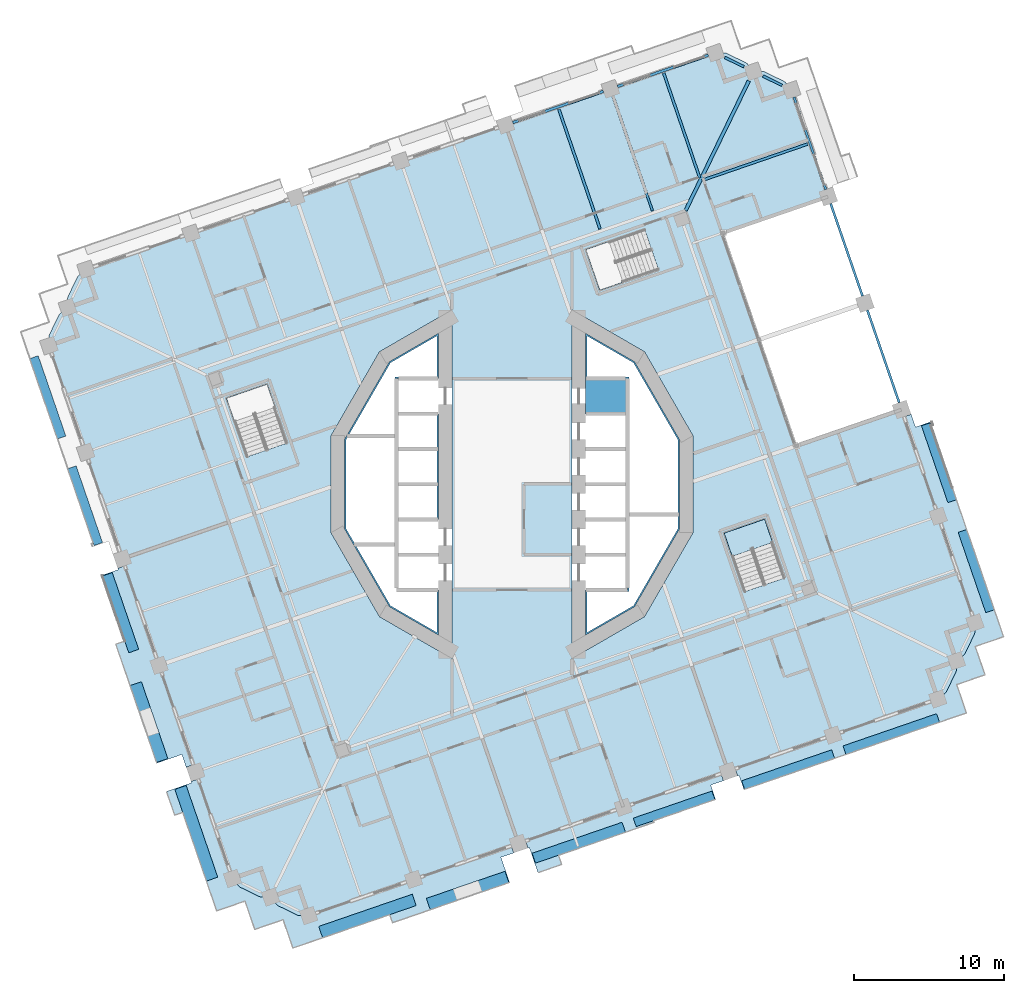
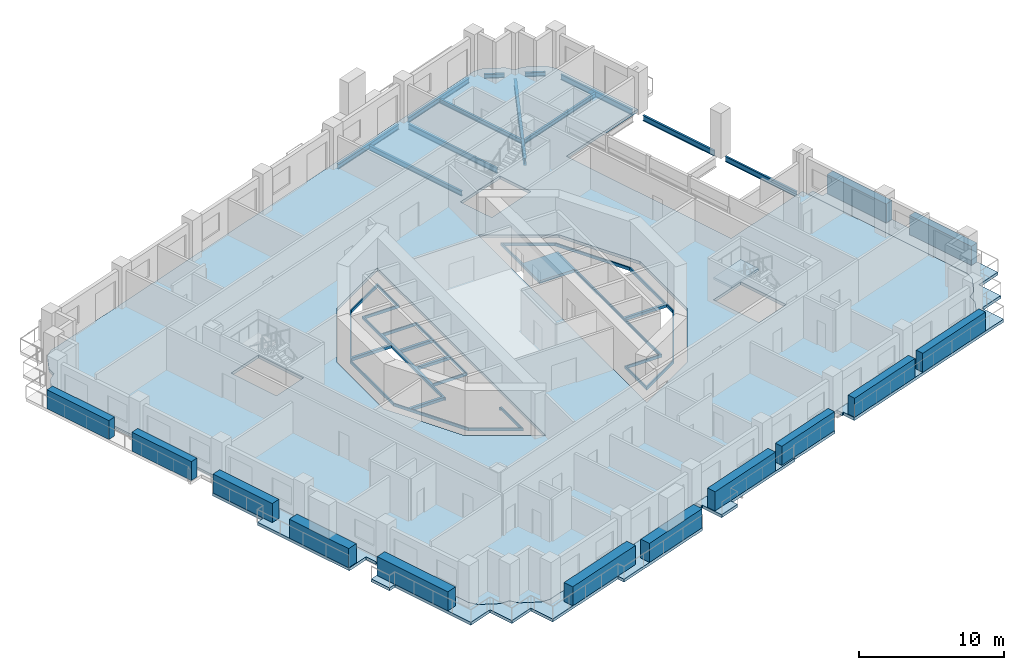
# One storey, part 5 of 19: 13 plates, 12 beams, 8 slabs, 1 element without a shape of its own.
"""IFC4 building model written with IfcOpenShell, lengths in metres."""

from ifc_helpers import new_model, si_unit, direction, frame, origin, origin_2d, place, context, subcontext, project, spatial, polyline, rectangle, i_section, outline, extrude, material, layer, layer_set, material_profile, profile_set, type_object, element, aggregate, save


model = new_model("IFC4")

# Units and contexts
model_context = context("Model", 3, precision=1e-05, world=origin(), true_north=direction((0.0, 1.0)))
body_context = subcontext(model_context, "Body", "Model", "MODEL_VIEW")
ifc_project = project(units=[si_unit("LENGTHUNIT", "METRE"), si_unit("AREAUNIT", "SQUARE_METRE"), si_unit("VOLUMEUNIT", "CUBIC_METRE"), si_unit("PLANEANGLEUNIT", "RADIAN"), si_unit("MASSUNIT", "GRAM", prefix="KILO")], contexts=[model_context])

# Site, building, storey
site_placement = place(None, origin())
site = spatial("IfcSite", under=ifc_project, at=site_placement, CompositionType="ELEMENT")
building_placement = place(site_placement, origin())
building = spatial("IfcBuilding", under=site, at=building_placement, Name="Cantera Rosa Tower", CompositionType="ELEMENT")
storey_placement = place(building_placement, frame((0.0, 0.0, 130.699951171875)))
storey = spatial("IfcBuildingStorey", under=building, at=storey_placement, Name="L27", CompositionType="ELEMENT", Elevation=130.699951171875)

# Beams
ifc_material_1 = material(Name="Steel ASTM A992 (Fy 345 MPa)", Category="steel")
ifc_material_profile_1 = material_profile(ifc_material_1, i_section(OverallWidth=0.154052734375, OverallDepth=0.4599609375, WebThickness=0.009033203125, FlangeThickness=0.015380859375, FilletRadius=0.01025390625, at=origin_2d()), Name="W460X68")
ifc_profile_set_1 = profile_set([ifc_material_profile_1], Name="Steel ASTM A992 (Fy 345 MPa)")
beam_type_1 = type_object("IfcBeamType", Name="STEEL BEAM W460X68", PredefinedType="BEAM", material=ifc_profile_set_1)
beam_1_placement = place(storey_placement, frame((6.7333984375, 25.903564453125, -0.47998046875), z_axis=(0.325580085327, -0.945514467387, 0.0), x_axis=(0.945514467387, 0.325580085327, 0.0)))
element("IfcBeam", 1, at=beam_1_placement, inside=storey, type_object=beam_type_1, Name="G-Z2-05 L27", PredefinedType="BEAM", context=body_context, shape_type="SweptSolid", body=[
    extrude(i_section(OverallWidth=0.154052734375, OverallDepth=0.4599609375, WebThickness=0.009033203125, FlangeThickness=0.015380859375, FilletRadius=0.01025390625, at=origin_2d()), origin(), (0.0, 0.0, 1.0), 8.10009765625),
])
ifc_material_2 = material(Name="Steel ASTM A992 (Fy 345 MPa)", Category="steel")
ifc_material_profile_2 = material_profile(ifc_material_2, i_section(OverallWidth=0.22802734375, OverallDepth=0.60205078125, WebThickness=0.010498046875, FlangeThickness=0.014892578125, FilletRadius=0.0126953125, at=origin_2d()), Name="W610X101")
ifc_profile_set_2 = profile_set([ifc_material_profile_2], Name="Steel ASTM A992 (Fy 345 MPa)")
beam_type_2 = type_object("IfcBeamType", Name="STEEL BEAM W610X101", PredefinedType="BEAM", material=ifc_profile_set_2)
beam_2_placement = place(storey_placement, frame((15.7998046875, 26.909912109375, -0.551025390625), z_axis=(-0.438387618569, -0.898786012288, 0.0), x_axis=(0.898786012288, -0.438387618569, 0.0)))
element("IfcBeam", 2, at=beam_2_placement, inside=storey, type_object=beam_type_2, Name="CB-Z2-01 L27", PredefinedType="BEAM", context=body_context, shape_type="SweptSolid", body=[
    extrude(i_section(OverallWidth=0.22802734375, OverallDepth=0.60205078125, WebThickness=0.010498046875, FlangeThickness=0.014892578125, FilletRadius=0.0126953125, at=origin_2d()), origin(), (0.0, 0.0, 1.0), 9.61669921875),
])
ifc_material_3 = material(Name="Steel ASTM A992 (Fy 345 MPa)", Category="steel")
ifc_material_profile_3 = material_profile(ifc_material_3, i_section(OverallWidth=0.1708984375, OverallDepth=0.35595703125, WebThickness=0.00732421875, FlangeThickness=0.01171875, FilletRadius=0.010009765625, at=origin_2d()), Name="W360X51")
ifc_profile_set_3 = profile_set([ifc_material_profile_3], Name="Steel ASTM A992 (Fy 345 MPa)")
beam_type_3 = type_object("IfcBeamType", Name="STEEL JOIST W360X51", PredefinedType="JOIST", material=ifc_profile_set_3)
beam_3_placement = place(storey_placement, frame((19.734130859375, 22.70166015625, -0.427978515625), z_axis=(-0.945518264054, -0.32556905925, 0.0), x_axis=(0.32556905925, -0.945518264054, 0.0)))
element("IfcBeam", 3, at=beam_3_placement, inside=storey, type_object=beam_type_3, Name="B-Z2-05 L27", PredefinedType="JOIST", context=body_context, shape_type="SweptSolid", body=[
    extrude(i_section(OverallWidth=0.1708984375, OverallDepth=0.35595703125, WebThickness=0.00732421875, FlangeThickness=0.01171875, FilletRadius=0.010009765625, at=origin_2d()), origin(), (0.0, 0.0, 1.0), 7.4599609375),
])
beam_4_placement = place(storey_placement, frame((10.117919921875, 27.43896484375, -0.427978515625), z_axis=(0.325565645331, -0.945519439557, 0.0), x_axis=(0.945519439557, 0.325565645331, 0.0)))
element("IfcBeam", 4, at=beam_4_placement, inside=storey, type_object=beam_type_3, Name="B-Z2-06 L27", PredefinedType="JOIST", context=body_context, shape_type="SweptSolid", body=[
    extrude(i_section(OverallWidth=0.1708984375, OverallDepth=0.35595703125, WebThickness=0.00732421875, FlangeThickness=0.01171875, FilletRadius=0.010009765625, at=origin_2d()), origin(), (0.0, 0.0, 1.0), 7.39990234375),
])
ifc_material_4 = material(Name="Steel ASTM A992 (Fy 345 MPa)", Category="steel")
ifc_material_profile_4 = material_profile(ifc_material_4, i_section(OverallWidth=0.177978515625, OverallDepth=0.406005859375, WebThickness=0.0078125, FlangeThickness=0.0126953125, FilletRadius=0.01025390625, at=origin_2d()), Name="W410X60")
ifc_profile_set_4 = profile_set([ifc_material_profile_4], Name="Steel ASTM A992 (Fy 345 MPa)")
beam_type_4 = type_object("IfcBeamType", Name="STEEL JOIST W410X60", PredefinedType="JOIST", material=ifc_profile_set_4)
beam_5_placement = place(storey_placement, frame((3.12109375, 25.02978515625, -0.452880859375), z_axis=(0.325565025235, -0.945519653071, 0.0), x_axis=(0.945519653071, 0.325565025235, 0.0)))
element("IfcBeam", 5, at=beam_5_placement, inside=storey, type_object=beam_type_4, Name="B-Z2-07 L27", PredefinedType="JOIST", context=body_context, shape_type="SweptSolid", body=[
    extrude(i_section(OverallWidth=0.177978515625, OverallDepth=0.406005859375, WebThickness=0.0078125, FlangeThickness=0.0126953125, FilletRadius=0.01025390625, at=origin_2d()), origin(), (0.0, 0.0, 1.0), 8.449951171875),
])
ifc_material_5 = material(Name="Steel ASTM A992 (Fy 345 MPa)", Category="steel")
ifc_material_profile_5 = material_profile(ifc_material_5, i_section(OverallWidth=0.1708984375, OverallDepth=0.35595703125, WebThickness=0.00732421875, FlangeThickness=0.01171875, FilletRadius=0.010009765625, at=origin_2d()), Name="W360X51")
ifc_profile_set_5 = profile_set([ifc_material_profile_5], Name="Steel ASTM A992 (Fy 345 MPa)")
beam_type_5 = type_object("IfcBeamType", Name="STEEL SPANDREL BEAM W360X51", PredefinedType="SPANDREL", material=ifc_profile_set_5)
for number, where, z_axis, x_axis, name in (
    (6, (18.016357421875, 26.61572265625, -0.427978515625), (-0.898803287583, 0.438352198842, 0.0), (-0.438352198842, -0.898803287583, 0.0), "EB-Z2-06 L27"),
    (7, (15.47412109375, 27.85546875, -0.427978515625), (-0.898803287583, 0.438352198842, 0.0), (-0.438352198842, -0.898803287583, 0.0), "EB-Z2-07 L27"),
):
    element("IfcBeam", number, at=place(storey_placement, frame(where, z_axis=z_axis, x_axis=x_axis)), inside=storey, type_object=beam_type_5, Name=name, PredefinedType="SPANDREL", context=body_context, shape_type="SweptSolid", body=[
        extrude(i_section(OverallWidth=0.1708984375, OverallDepth=0.35595703125, WebThickness=0.00732421875, FlangeThickness=0.01171875, FilletRadius=0.010009765625, at=origin_2d()), origin(), (0.0, 0.0, 1.0), 1.4140625),
    ])
ifc_material_6 = material(Name="Steel ASTM A992 (Fy 345 MPa)", Category="steel")
ifc_material_profile_6 = material_profile(ifc_material_6, i_section(OverallWidth=0.177978515625, OverallDepth=0.406005859375, WebThickness=0.0078125, FlangeThickness=0.0126953125, FilletRadius=0.01025390625, at=origin_2d()), Name="W410X60")
ifc_profile_set_6 = profile_set([ifc_material_profile_6], Name="Steel ASTM A992 (Fy 345 MPa)")
beam_type_6 = type_object("IfcBeamType", Name="STEEL SPANDREL BEAM W410X60", PredefinedType="SPANDREL", material=ifc_profile_set_6)
for number, where, z_axis, x_axis, name in (
    (8, (13.0947265625, 28.62255859375, -0.452880859375), (-0.945524496524, -0.325550958337, 0.0), (0.325550958337, -0.945524496524, 0.0), "EB-Z2-08 L27"),
    (9, (6.097900390625, 26.21337890625, -0.452880859375), (-0.945524496524, -0.325550958337, 0.0), (0.325550958337, -0.945524496524, 0.0), "EB-Z2-09 L27"),
):
    element("IfcBeam", number, at=place(storey_placement, frame(where, z_axis=z_axis, x_axis=x_axis)), inside=storey, type_object=beam_type_6, Name=name, PredefinedType="SPANDREL", context=body_context, shape_type="SweptSolid", body=[
        extrude(i_section(OverallWidth=0.177978515625, OverallDepth=0.406005859375, WebThickness=0.0078125, FlangeThickness=0.0126953125, FilletRadius=0.01025390625, at=origin_2d()), origin(), (0.0, 0.0, 1.0), 6.39990234375),
    ])
ifc_material_7 = material(Name="Steel ASTM A992 (Fy 345 MPa)", Category="steel")
ifc_material_profile_7 = material_profile(ifc_material_7, i_section(OverallWidth=0.154052734375, OverallDepth=0.4599609375, WebThickness=0.009033203125, FlangeThickness=0.015380859375, FilletRadius=0.01025390625, at=origin_2d()), Name="W460X68")
ifc_profile_set_7 = profile_set([ifc_material_profile_7], Name="Steel ASTM A992 (Fy 345 MPa)")
beam_type_7 = type_object("IfcBeamType", Name="STEEL SPANDREL BEAM W460X68", PredefinedType="SPANDREL", material=ifc_profile_set_7)
for number, where, z_axis, x_axis, name in (
    (10, (25.833984375, 5.447509765625, -0.47998046875), (-0.325580990241, 0.945514155787, 0.0), (-0.945514155787, -0.325580990241, 0.0), "EB-Z2-03 L27"),
    (11, (23.3857421875, 12.557861328125, -0.47998046875), (-0.325580990241, 0.945514155787, 0.0), (-0.945514155787, -0.325580990241, 0.0), "EB-Z2-04 L27"),
):
    element("IfcBeam", number, at=place(storey_placement, frame(where, z_axis=z_axis, x_axis=x_axis)), inside=storey, type_object=beam_type_7, Name=name, PredefinedType="SPANDREL", context=body_context, shape_type="SweptSolid", body=[
        extrude(i_section(OverallWidth=0.154052734375, OverallDepth=0.4599609375, WebThickness=0.009033203125, FlangeThickness=0.015380859375, FilletRadius=0.01025390625, at=origin_2d()), origin(), (0.0, 0.0, 1.0), 6.52001953125),
    ])
beam_6_placement = place(storey_placement, frame((20.9375, 19.668212890625, -0.47998046875), z_axis=(-0.325592517631, 0.945510186335, 0.0), x_axis=(-0.945510186335, -0.325592517631, 0.0)))
element("IfcBeam", 12, at=beam_6_placement, inside=storey, type_object=beam_type_7, Name="EB-Z2-05 L27", PredefinedType="SPANDREL", context=body_context, shape_type="SweptSolid", body=[
    extrude(i_section(OverallWidth=0.154052734375, OverallDepth=0.4599609375, WebThickness=0.009033203125, FlangeThickness=0.015380859375, FilletRadius=0.01025390625, at=origin_2d()), origin(), (0.0, 0.0, 1.0), 6.519775390625),
])

# Slabs
ifc_material_8 = material(Name="Concrete C35/45", Category="concrete")
ifc_layer_1 = layer(ifc_material_8, 0.25)
ifc_layer_set_1 = layer_set([ifc_layer_1], Name="COMPOSITE FLOOR SLAB 250 C35/45")
slab_type_1 = type_object("IfcSlabType", Name="COMPOSITE FLOOR SLAB 250 C35/45", PredefinedType="FLOOR", material=ifc_layer_set_1)
slab_1_placement = place(storey_placement, frame((0.0, 0.0, -0.25)))
element("IfcSlab", 13, at=slab_1_placement, inside=storey, type_object=slab_type_1, Name="SLAB L27 floor 1", PredefinedType="FLOOR", context=body_context, shape_type="SweptSolid", body=[
    extrude(outline(polyline([(-10.403076171875, -4.12939453125), (-8.106689453125, -8.106689453125), (-5.0, -9.900390625), (-5.0, -7.14990234375), (-5.0927734375, -7.050048828125), (-4.89990234375, -7.050048828125), (-4.89990234375, -10.07373046875), (-8.179931640625, -8.179931640625), (-11.174072265625, -2.994140625), (-11.174072265625, 2.994140625), (-8.179931640625, 8.179931640625), (-4.89990234375, 10.07373046875), (-4.89990234375, 7.050048828125), (-7.699951171875, 7.050048828125), (-7.699951171875, 4.699951171875), (-4.89990234375, 4.699951171875), (-4.89990234375, -2.35009765625), (-7.699951171875, -2.35009765625), (-7.699951171875, -4.2373046875), (-7.800048828125, -4.12939453125), (-10.403076171875, -4.12939453125)]), holes=[polyline([(-7.60009765625, -0.10009765625), (-7.60009765625, -2.25), (-5.0, -2.25), (-5.0, -0.10009765625), (-7.60009765625, -0.10009765625)]), polyline([(-11.07421875, 2.96728515625), (-11.07421875, -2.96728515625), (-10.5185546875, -3.929443359375), (-7.800048828125, -3.929443359375), (-7.800048828125, -2.449951171875), (-7.800048828125, -2.25), (-7.800048828125, 2.25), (-7.800048828125, 2.449951171875), (-7.800048828125, 3.12353515625), (-10.98388671875, 3.12353515625), (-11.07421875, 2.96728515625)]), polyline([(-7.60009765625, 2.25), (-7.60009765625, 0.10009765625), (-5.0, 0.10009765625), (-5.0, 2.25), (-7.60009765625, 2.25)]), polyline([(-7.60009765625, 4.60009765625), (-7.60009765625, 2.449951171875), (-5.0, 2.449951171875), (-5.0, 4.60009765625), (-7.60009765625, 4.60009765625)]), polyline([(-8.106689453125, 8.106689453125), (-10.868408203125, 3.323486328125), (-7.800048828125, 3.323486328125), (-7.800048828125, 7.14990234375), (-5.0, 7.14990234375), (-5.0, 9.900390625), (-8.106689453125, 8.106689453125)])]), origin(), (0.0, 0.0, 1.0), 0.25),
])
slab_2_placement = place(storey_placement, frame((0.0, 0.0, -0.25)))
element("IfcSlab", 14, at=slab_2_placement, inside=storey, type_object=slab_type_1, Name="SLAB L27 floor 2", PredefinedType="FLOOR", context=body_context, shape_type="SweptSolid", body=[
    extrude(outline(polyline([(-14.334716796875, -28.7451171875), (-15.605712890625, -28.125), (-15.631591796875, -28.111083984375), (-15.65576171875, -28.09423828125), (-15.67822265625, -28.075439453125), (-15.698974609375, -28.05419921875), (-16.109619140625, -27.54541015625), (-16.763671875, -27.534912109375), (-16.79296875, -27.53173828125), (-16.82177734375, -27.525634765625), (-16.849609375, -27.516845703125), (-16.876708984375, -27.505126953125), (-18.14794921875, -26.88525390625), (-18.173583984375, -26.87109375), (-18.197998046875, -26.8544921875), (-18.220458984375, -26.83544921875), (-18.240966796875, -26.814453125), (-18.65185546875, -26.3056640625), (-18.948974609375, -25.443115234375), (-30.893310546875, 9.245849609375), (-30.8828125, 9.899658203125), (-30.87939453125, 9.928955078125), (-30.873291015625, 9.957763671875), (-30.864501953125, 9.98583984375), (-30.852783203125, 10.012939453125), (-30.23291015625, 11.283935546875), (-30.21875, 11.309814453125), (-30.2021484375, 11.333984375), (-30.18310546875, 11.356689453125), (-30.162109375, 11.377197265625), (-29.6533203125, 11.7880859375), (-29.642822265625, 12.44189453125), (-29.6396484375, 12.47119140625), (-29.633544921875, 12.5), (-29.62451171875, 12.528076171875), (-29.613037109375, 12.55517578125), (-28.9931640625, 13.826171875), (-28.97900390625, 13.85205078125), (-28.962158203125, 13.876220703125), (-28.943359375, 13.898681640625), (-28.922119140625, 13.91943359375), (-28.41357421875, 14.330078125), (-27.55078125, 14.627197265625), (13.567626953125, 28.785400390625), (14.221435546875, 28.77490234375), (14.250732421875, 28.771728515625), (14.279541015625, 28.765625), (14.3076171875, 28.756591796875), (14.334716796875, 28.7451171875), (15.605712890625, 28.125), (15.631591796875, 28.111083984375), (15.65576171875, 28.09423828125), (15.67822265625, 28.075439453125), (15.698974609375, 28.05419921875), (16.109619140625, 27.54541015625), (16.763671875, 27.534912109375), (16.79296875, 27.53173828125), (16.82177734375, 27.525634765625), (16.849609375, 27.516845703125), (16.876708984375, 27.505126953125), (18.14794921875, 26.88525390625), (18.173583984375, 26.87109375), (18.197998046875, 26.8544921875), (18.220458984375, 26.83544921875), (18.240966796875, 26.814453125), (18.65185546875, 26.3056640625), (18.948974609375, 25.443115234375), (21.10009765625, 19.1953125), (14.0087890625, 16.753662109375), (18.9052734375, 2.532958984375), (25.99658203125, 4.974609375), (30.893310546875, -9.245849609375), (30.8828125, -9.899658203125), (30.87939453125, -9.928955078125), (30.873291015625, -9.957763671875), (30.864501953125, -9.98583984375), (30.852783203125, -10.012939453125), (30.23291015625, -11.283935546875), (30.21875, -11.309814453125), (30.2021484375, -11.333984375), (30.18310546875, -11.356689453125), (30.162109375, -11.377197265625), (29.6533203125, -11.7880859375), (29.642822265625, -12.44189453125), (29.6396484375, -12.47119140625), (29.633544921875, -12.5), (29.62451171875, -12.528076171875), (29.613037109375, -12.55517578125), (28.9931640625, -13.826171875), (28.97900390625, -13.85205078125), (28.962158203125, -13.876220703125), (28.943359375, -13.898681640625), (28.922119140625, -13.91943359375), (28.41357421875, -14.330078125), (27.55078125, -14.627197265625), (-13.567626953125, -28.785400390625), (-14.221435546875, -28.77490234375), (-14.250732421875, -28.771728515625), (-14.279541015625, -28.765625), (-14.3076171875, -28.756591796875), (-14.334716796875, -28.7451171875)]), holes=[polyline([(-8.8388671875, 8.8388671875), (-12.07421875, 3.235107421875), (-12.07421875, -3.235107421875), (-8.8388671875, -8.8388671875), (-4.0, -11.632568359375), (-4.0, 11.632568359375), (-8.8388671875, 8.8388671875)]), polyline([(-15.000732421875, 2.751708984375), (-16.347900390625, 6.6640625), (-19.042724609375, 5.736083984375), (-17.695556640625, 1.82373046875), (-15.000732421875, 2.751708984375)]), polyline([(18.19921875, -6.248291015625), (16.85205078125, -2.3359375), (14.1572265625, -3.263916015625), (15.50439453125, -7.17626953125), (18.19921875, -6.248291015625)]), polyline([(8.8388671875, -8.8388671875), (12.07421875, -3.235107421875), (12.07421875, 3.235107421875), (8.8388671875, 8.8388671875), (4.0, 11.632568359375), (4.0, -11.632568359375), (8.8388671875, -8.8388671875)]), polyline([(9.7763671875, 14.304443359375), (8.848388671875, 16.999267578125), (4.935791015625, 15.652099609375), (5.86376953125, 12.957275390625), (9.7763671875, 14.304443359375)])]), origin(), (0.0, 0.0, 1.0), 0.25),
])
slab_3_placement = place(storey_placement, frame((0.0, 0.0, -0.25)))
element("IfcSlab", 15, at=slab_3_placement, inside=storey, type_object=slab_type_1, Name="SLAB L27 floor 3", PredefinedType="FLOOR", context=body_context, shape_type="SweptSolid", body=[
    extrude(outline(polyline([(7.699951171875, 0.0), (7.699951171875, 2.35009765625), (7.699951171875, 4.699951171875), (4.89990234375, 4.699951171875), (4.89990234375, 10.07373046875), (8.179931640625, 8.179931640625), (11.174072265625, 2.994140625), (11.174072265625, -2.994140625), (8.179931640625, -8.179931640625), (4.89990234375, -10.07373046875), (4.89990234375, -7.050048828125), (7.699951171875, -7.050048828125), (7.699951171875, -4.699951171875), (7.699951171875, -2.35009765625), (7.699951171875, 0.0)]), holes=[polyline([(7.800048828125, -2.25), (7.800048828125, -2.449951171875), (7.800048828125, -7.14990234375), (5.0, -7.14990234375), (5.0, -9.900390625), (8.106689453125, -8.106689453125), (11.07421875, -2.96728515625), (11.07421875, -2.11474609375), (7.800048828125, -2.11474609375), (7.800048828125, -2.25)]), polyline([(5.0, 7.14990234375), (7.800048828125, 7.14990234375), (7.800048828125, 2.449951171875), (7.800048828125, 2.25), (7.800048828125, -1.914794921875), (11.07421875, -1.914794921875), (11.07421875, 2.96728515625), (8.106689453125, 8.106689453125), (5.0, 9.900390625), (5.0, 7.14990234375)])]), origin(), (0.0, 0.0, 1.0), 0.25),
])
ifc_material_9 = material(Name="Concrete C35/45", Category="concrete")
ifc_layer_2 = layer(ifc_material_9, 0.25)
ifc_layer_set_2 = layer_set([ifc_layer_2], Name="LOGGIA SLAB 250 C35/45")
slab_type_2 = type_object("IfcSlabType", Name="LOGGIA SLAB 250 C35/45", PredefinedType="FLOOR", material=ifc_layer_set_2)
slab_4_placement = place(storey_placement, frame((0.0, 0.0, -0.25)))
element("IfcSlab", 16, at=slab_4_placement, inside=storey, type_object=slab_type_2, Name="LOGGIA SLAB L27 2", PredefinedType="FLOOR", context=body_context, shape_type="SweptSolid", body=[
    extrude(outline(polyline([(-27.3505859375, -6.075439453125), (-26.274169921875, -5.704833984375), (-26.306640625, -5.6103515625), (-25.833984375, -5.447509765625), (-21.262939453125, -18.72265625), (-21.735595703125, -18.885498046875), (-22.02880859375, -18.034423828125), (-23.703369140625, -18.611083984375), (-26.435302734375, -10.677001953125), (-25.837158203125, -10.470947265625), (-27.3505859375, -6.075439453125)])), origin(), (0.0, 0.0, 1.0), 0.25),
])
slab_5_placement = place(storey_placement, frame((0.0, 0.0, -0.25)))
element("IfcSlab", 17, at=slab_5_placement, inside=storey, type_object=slab_type_2, Name="LOGGIA SLAB L27 3", PredefinedType="FLOOR", context=body_context, shape_type="SweptSolid", body=[
    extrude(outline(polyline([(-13.01416015625, -30.392822265625), (-14.62158203125, -30.9462890625), (-15.1748046875, -29.3388671875), (-15.272705078125, -29.05517578125), (-15.556396484375, -29.15283203125), (-17.16357421875, -29.706298828125), (-17.717041015625, -28.09912109375), (-17.814697265625, -27.815185546875), (-18.098388671875, -27.9130859375), (-19.705810546875, -28.466552734375), (-20.25927734375, -26.859130859375), (-21.968017578125, -21.896240234375), (-22.50830078125, -22.082275390625), (-23.05224609375, -20.502197265625), (-21.377685546875, -19.92529296875), (-21.41015625, -19.830810546875), (-20.9375, -19.668212890625), (-18.948974609375, -25.443115234375), (-18.65185546875, -26.3056640625), (-18.240966796875, -26.814453125), (-18.220458984375, -26.83544921875), (-18.197998046875, -26.8544921875), (-18.173583984375, -26.87109375), (-18.14794921875, -26.88525390625), (-16.876708984375, -27.505126953125), (-16.849609375, -27.516845703125), (-16.82177734375, -27.525634765625), (-16.79296875, -27.53173828125), (-16.763671875, -27.534912109375), (-16.109619140625, -27.54541015625), (-15.698974609375, -28.05419921875), (-15.67822265625, -28.075439453125), (-15.65576171875, -28.09423828125), (-15.631591796875, -28.111083984375), (-15.605712890625, -28.125), (-14.334716796875, -28.7451171875), (-14.3076171875, -28.756591796875), (-14.279541015625, -28.765625), (-14.250732421875, -28.771728515625), (-14.221435546875, -28.77490234375), (-13.567626953125, -28.785400390625), (-0.046630859375, -24.1298828125), (0.1162109375, -24.6025390625), (-0.73486328125, -24.8955078125), (-0.158935546875, -26.56787109375), (-7.977294921875, -29.260009765625), (-8.162353515625, -28.72216796875), (-13.01416015625, -30.392822265625)])), origin(), (0.0, 0.0, 1.0), 0.25),
])
slab_6_placement = place(storey_placement, frame((0.0, 0.0, -0.25)))
element("IfcSlab", 18, at=slab_6_placement, inside=storey, type_object=slab_type_2, Name="LOGGIA SLAB L27 5", PredefinedType="FLOOR", context=body_context, shape_type="SweptSolid", body=[
    extrude(outline(polyline([(1.061767578125, -24.277099609375), (0.89892578125, -23.80419921875), (13.947021484375, -19.311279296875), (14.10986328125, -19.7841796875), (13.2587890625, -20.0771484375), (13.58447265625, -21.022705078125), (13.489990234375, -21.05517578125), (9.44140625, -22.44921875), (9.47998046875, -22.56103515625), (3.097900390625, -24.758544921875), (3.309814453125, -25.37353515625), (1.73193359375, -25.916748046875), (1.15625, -24.244384765625), (1.061767578125, -24.277099609375)])), origin(), (0.0, 0.0, 1.0), 0.25),
])
slab_7_placement = place(storey_placement, frame((0.0, 0.0, -0.25)))
element("IfcSlab", 19, at=slab_7_placement, inside=storey, type_object=slab_type_2, Name="LOGGIA SLAB L27 7", PredefinedType="FLOOR", context=body_context, shape_type="SweptSolid", body=[
    extrude(outline(polyline([(29.375, -0.22900390625), (30.3515625, -3.0654296875), (32.3115234375, -8.757568359375), (32.7998046875, -10.17578125), (31.381591796875, -10.6640625), (30.908935546875, -10.826904296875), (31.071533203125, -11.2998046875), (31.56005859375, -12.718017578125), (30.1416015625, -13.206298828125), (29.6689453125, -13.369140625), (29.831787109375, -13.841796875), (30.320068359375, -15.260009765625), (28.90185546875, -15.74853515625), (23.3232421875, -17.669189453125), (20.48681640625, -18.64599609375), (16.326416015625, -20.07861328125), (15.4755859375, -20.37158203125), (15.14990234375, -19.426025390625), (15.055419921875, -19.45849609375), (14.892578125, -18.98583984375), (27.55078125, -14.627197265625), (28.41357421875, -14.330078125), (28.922119140625, -13.91943359375), (28.943359375, -13.898681640625), (28.962158203125, -13.876220703125), (28.97900390625, -13.85205078125), (28.9931640625, -13.826171875), (29.613037109375, -12.55517578125), (29.62451171875, -12.528076171875), (29.633544921875, -12.5), (29.6396484375, -12.47119140625), (29.642822265625, -12.44189453125), (29.6533203125, -11.7880859375), (30.162109375, -11.377197265625), (30.18310546875, -11.356689453125), (30.2021484375, -11.333984375), (30.21875, -11.309814453125), (30.23291015625, -11.283935546875), (30.852783203125, -10.012939453125), (30.864501953125, -9.98583984375), (30.873291015625, -9.957763671875), (30.87939453125, -9.928955078125), (30.8828125, -9.899658203125), (30.893310546875, -9.245849609375), (26.159423828125, 4.501953125), (26.63232421875, 4.664794921875), (26.92529296875, 3.813720703125), (28.001708984375, 4.184326171875), (28.079345703125, 3.958984375), (27.948486328125, 3.913818359375), (29.375, -0.22900390625)])), origin(), (0.0, 0.0, 1.0), 0.25),
])

# Plates
ifc_material_10 = material(Name="Cantera stone planter with soil", Category="masonry")
plate_type_1 = type_object("IfcPlateType", Name="PLANTER 600", PredefinedType="USERDEFINED", material=ifc_material_10)
plate_1_placement = place(storey_placement, frame((30.974609375, -5.79638671875, 0.0), z_axis=(0.0, 0.0, 1.0), x_axis=(-0.325568154457, 0.945518575599, 0.0)))
element("IfcPlate", 20, at=plate_1_placement, inside=storey, type_object=plate_type_1, Name="PLANTER L27-01", ObjectType="PLANTER", PredefinedType="USERDEFINED", context=body_context, shape_type="SweptSolid", body=[
    extrude(rectangle(XDim=5.669921875, YDim=0.60009765625, at=origin_2d()), origin(), (0.0, 0.0, 1.0), 1.60009765625),
])
plate_2_placement = place(storey_placement, frame((28.485595703125, 1.43212890625, 0.0), z_axis=(0.0, 0.0, 1.0), x_axis=(-0.325568154457, 0.945518575599, 0.0)))
element("IfcPlate", 21, at=plate_2_placement, inside=storey, type_object=plate_type_1, Name="PLANTER L27-02", ObjectType="PLANTER", PredefinedType="USERDEFINED", context=body_context, shape_type="SweptSolid", body=[
    extrude(rectangle(XDim=5.419921875, YDim=0.60009765625, at=origin_2d()), origin(), (0.0, 0.0, 1.0), 1.60009765625),
])
plate_3_placement = place(storey_placement, frame((-30.974609375, 5.79638671875, 0.0), z_axis=(0.0, 0.0, 1.0), x_axis=(0.325568154457, -0.945518575599, 0.0)))
element("IfcPlate", 22, at=plate_3_placement, inside=storey, type_object=plate_type_1, Name="PLANTER L27-12", ObjectType="PLANTER", PredefinedType="USERDEFINED", context=body_context, shape_type="SweptSolid", body=[
    extrude(rectangle(XDim=5.669921875, YDim=0.60009765625, at=origin_2d()), origin(), (0.0, 0.0, 1.0), 1.60009765625),
])
plate_4_placement = place(storey_placement, frame((-28.485595703125, -1.43212890625, 0.0), z_axis=(0.0, 0.0, 1.0), x_axis=(0.325568154457, -0.945518575599, 0.0)))
element("IfcPlate", 23, at=plate_4_placement, inside=storey, type_object=plate_type_1, Name="PLANTER L27-13", ObjectType="PLANTER", PredefinedType="USERDEFINED", context=body_context, shape_type="SweptSolid", body=[
    extrude(rectangle(XDim=5.419921875, YDim=0.60009765625, at=origin_2d()), origin(), (0.0, 0.0, 1.0), 1.60009765625),
])
plate_5_placement = place(storey_placement, frame((10.815673828125, -21.65869140625, 0.0), z_axis=(0.0, 0.0, 1.0), x_axis=(0.945518575599, 0.325568154457, 0.0)))
element("IfcPlate", 24, at=plate_5_placement, inside=storey, type_object=plate_type_1, Name="PLANTER L27-20", ObjectType="PLANTER", PredefinedType="USERDEFINED", context=body_context, shape_type="SweptSolid", body=[
    extrude(rectangle(XDim=5.550048828125, YDim=0.60009765625, at=origin_2d()), origin(), (0.0, 0.0, 1.0), 1.60009765625),
])
plate_6_placement = place(storey_placement, frame((18.427001953125, -19.037841796875, 0.0), z_axis=(0.0, 0.0, 1.0), x_axis=(0.945518575599, 0.325568154457, 0.0)))
element("IfcPlate", 25, at=plate_6_placement, inside=storey, type_object=plate_type_1, Name="PLANTER L27-21", ObjectType="PLANTER", PredefinedType="USERDEFINED", context=body_context, shape_type="SweptSolid", body=[
    extrude(rectangle(XDim=6.35009765625, YDim=0.60009765625, at=origin_2d()), origin(), (0.0, 0.0, 1.0), 1.60009765625),
])
plate_7_placement = place(storey_placement, frame((25.3056640625, -16.66943359375, 0.0), z_axis=(0.0, 0.0, 1.0), x_axis=(0.945518575599, 0.325568154457, 0.0)))
element("IfcPlate", 26, at=plate_7_placement, inside=storey, type_object=plate_type_1, Name="PLANTER L27-22", ObjectType="PLANTER", PredefinedType="USERDEFINED", context=body_context, shape_type="SweptSolid", body=[
    extrude(rectangle(XDim=6.60009765625, YDim=0.60009765625, at=origin_2d()), origin(), (0.0, 0.0, 1.0), 1.60009765625),
])
ifc_material_11 = material(Name="Cantera stone planter with soil", Category="masonry")
plate_type_2 = type_object("IfcPlateType", Name="PLANTER 700", PredefinedType="USERDEFINED", material=ifc_material_11)
plate_8_placement = place(storey_placement, frame((-26.12109375, -8.571044921875, 0.0), z_axis=(0.0, 0.0, 1.0), x_axis=(0.325568154457, -0.945518575599, 0.0)))
element("IfcPlate", 27, at=plate_8_placement, inside=storey, type_object=plate_type_2, Name="PLANTER L27-14", ObjectType="PLANTER", PredefinedType="USERDEFINED", context=body_context, shape_type="SweptSolid", body=[
    extrude(rectangle(XDim=5.419921875, YDim=0.699951171875, at=origin_2d()), origin(), (0.0, 0.0, 1.0), 1.60009765625),
])
plate_9_placement = place(storey_placement, frame((4.45556640625, -23.9208984375, 0.0), z_axis=(0.0, 0.0, 1.0), x_axis=(0.945518575599, 0.325568154457, 0.0)))
element("IfcPlate", 28, at=plate_9_placement, inside=storey, type_object=plate_type_2, Name="PLANTER L27-19", ObjectType="PLANTER", PredefinedType="USERDEFINED", context=body_context, shape_type="SweptSolid", body=[
    extrude(rectangle(XDim=6.35009765625, YDim=0.699951171875, at=origin_2d()), origin(), (0.0, 0.0, 1.0), 1.60009765625),
])
ifc_material_12 = material(Name="Cantera stone planter with soil", Category="masonry")
plate_type_3 = type_object("IfcPlateType", Name="PLANTER 800", PredefinedType="USERDEFINED", material=ifc_material_12)
plate_10_placement = place(storey_placement, frame((-24.223876953125, -15.87109375, 0.0), z_axis=(0.0, 0.0, 1.0), x_axis=(0.325568154457, -0.945518575599, 0.0)))
element("IfcPlate", 29, at=plate_10_placement, inside=storey, type_object=plate_type_3, Name="PLANTER L27-15", ObjectType="PLANTER", PredefinedType="USERDEFINED", context=body_context, shape_type="SweptSolid", body=[
    extrude(rectangle(XDim=5.419921875, YDim=0.800048828125, at=origin_2d()), origin(), (0.0, 0.0, 1.0), 1.60009765625),
])
plate_11_placement = place(storey_placement, frame((-21.064453125, -23.2919921875, 0.0), z_axis=(0.0, 0.0, 1.0), x_axis=(0.325568154457, -0.945518575599, 0.0)))
element("IfcPlate", 30, at=plate_11_placement, inside=storey, type_object=plate_type_3, Name="PLANTER L27-16", ObjectType="PLANTER", PredefinedType="USERDEFINED", context=body_context, shape_type="SweptSolid", body=[
    extrude(rectangle(XDim=6.469970703125, YDim=0.800048828125, at=origin_2d()), origin(), (0.0, 0.0, 1.0), 1.60009765625),
])
plate_12_placement = place(storey_placement, frame((-9.64599609375, -28.81005859375, 0.0), z_axis=(0.0, 0.0, 1.0), x_axis=(0.945518575599, 0.325568154457, 0.0)))
element("IfcPlate", 31, at=plate_12_placement, inside=storey, type_object=plate_type_3, Name="PLANTER L27-17", ObjectType="PLANTER", PredefinedType="USERDEFINED", context=body_context, shape_type="SweptSolid", body=[
    extrude(rectangle(XDim=6.60009765625, YDim=0.800048828125, at=origin_2d()), origin(), (0.0, 0.0, 1.0), 1.60009765625),
])
plate_13_placement = place(storey_placement, frame((-2.960205078125, -27.109375, 0.0), z_axis=(0.0, 0.0, 1.0), x_axis=(0.945518575599, 0.325568154457, 0.0)))
element("IfcPlate", 32, at=plate_13_placement, inside=storey, type_object=plate_type_3, Name="PLANTER L27-18", ObjectType="PLANTER", PredefinedType="USERDEFINED", context=body_context, shape_type="SweptSolid", body=[
    extrude(rectangle(XDim=5.550048828125, YDim=0.800048828125, at=origin_2d()), origin(), (0.0, 0.0, 1.0), 1.60009765625),
])

# Stair, slab
ifc_material_13 = material(Name="Concrete C35/45", Category="concrete")
stair_type = type_object("IfcStairType", Name="EXIT STAIR 1350 DOGLEG", PredefinedType="HALF_TURN_STAIR", material=ifc_material_13)
stair_placement = place(storey_placement, origin())
stair = element("IfcStair", 33, at=stair_placement, inside=storey, type_object=stair_type, Name="L27 ST-23", PredefinedType="HALF_TURN_STAIR")
ifc_material_14 = material(Name="Concrete C35/45", Category="concrete")
ifc_layer_3 = layer(ifc_material_14, 0.199951171875)
ifc_layer_set_3 = layer_set([ifc_layer_3], Name="STAIR LANDING 200")
slab_type_3 = type_object("IfcSlabType", Name="STAIR LANDING 200", PredefinedType="LANDING", material=ifc_layer_set_3)
slab_8_placement = place(storey_placement, frame((0.0, 0.0, 1.699951171875)))
slab_8 = element("IfcSlab", 34, at=slab_8_placement, type_object=slab_type_3, Name="ST-23 landing 1", PredefinedType="LANDING", context=body_context, shape_type="SweptSolid", body=[
    extrude(outline(polyline([(17.38671875, -3.888427734375), (16.85205078125, -2.3359375), (14.1572265625, -3.263671875), (14.69189453125, -4.81640625), (17.38671875, -3.888427734375)])), origin(), (0.0, 0.0, 1.0), 0.2001953125),
])
aggregate(stair, [slab_8])

save(model, "model.ifc")
